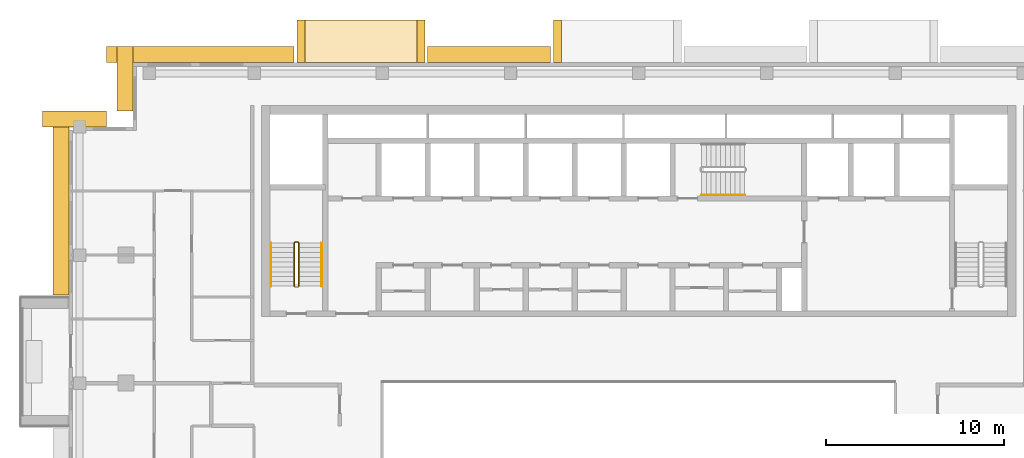
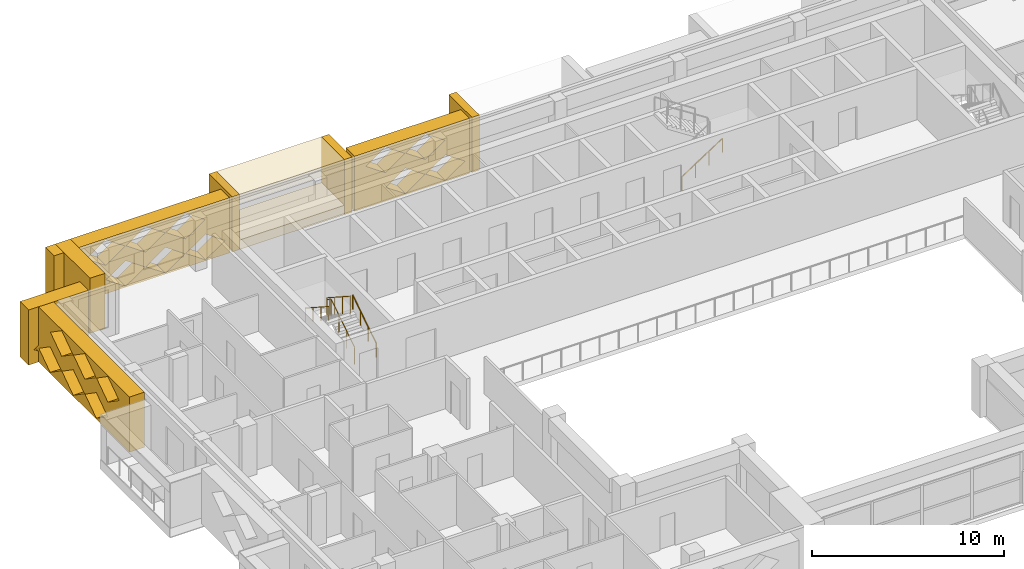
# One storey, part 17 of 19: 10 coverings, 4 railings.
"""IFC4 building model written with IfcOpenShell, lengths in metres."""

from ifc_helpers import new_model, si_unit, direction, frame, origin, origin_2d, place, context, subcontext, project, spatial, polyline, circle, outline, extrude, material, type_object, element, save


model = new_model("IFC4")

# Units and contexts
model_context = context("Model", 3, precision=1e-05, world=origin(), true_north=direction((0.0, 1.0)))
body_context = subcontext(model_context, "Body", "Model", "MODEL_VIEW")
ifc_project = project(units=[si_unit("LENGTHUNIT", "METRE"), si_unit("AREAUNIT", "SQUARE_METRE"), si_unit("VOLUMEUNIT", "CUBIC_METRE"), si_unit("PLANEANGLEUNIT", "RADIAN"), si_unit("MASSUNIT", "GRAM", prefix="KILO")], contexts=[model_context])

# Site, building, storey
site_placement = place(None, origin())
site = spatial("IfcSite", under=ifc_project, at=site_placement, CompositionType="ELEMENT")
building_placement = place(site_placement, origin())
building = spatial("IfcBuilding", under=site, at=building_placement, Name="Saffron Iwan Residences", CompositionType="ELEMENT")
storey_placement = place(building_placement, frame((0.0, 0.0, 229.0)))
storey = spatial("IfcBuildingStorey", under=building, at=storey_placement, Name="L61", CompositionType="ELEMENT", Elevation=229.0)

# Coverings
ifc_material_1 = material(Name="Precast concrete C40/50", Category="concrete")
covering_type_1 = type_object("IfcCoveringType", Name="OUTER SKIN LATTICE SCREEN", PredefinedType="CLADDING", material=ifc_material_1)
covering_1_placement = place(storey_placement, frame((45.449951171875, 80.39990234375, -0.280029296875), z_axis=(0.0, 1.0, 0.0), x_axis=(-1.0, 0.0, 0.0)))
element("IfcCovering", 1, at=covering_1_placement, inside=storey, type_object=covering_type_1, Name="OUTER SKIN lattice screen L61 F5.2", PredefinedType="CLADDING", context=body_context, shape_type="SweptSolid", body=[
    extrude(outline(polyline([(0.0, 0.0), (6.89990234375, 0.0), (6.89990234375, 3.5), (0.0, 3.5), (0.0, 0.0)]), holes=[polyline([(0.27001953125, 0.875), (1.449951171875, 0.06005859375), (2.6298828125, 0.875), (1.449951171875, 1.68994140625), (0.27001953125, 0.875)]), polyline([(2.669921875, 0.875), (3.85009765625, 0.06005859375), (5.030029296875, 0.875), (3.85009765625, 1.68994140625), (2.669921875, 0.875)]), polyline([(1.469970703125, 2.625), (2.64990234375, 1.81005859375), (3.830078125, 2.625), (2.64990234375, 3.43994140625), (1.469970703125, 2.625)]), polyline([(3.8701171875, 2.625), (5.050048828125, 1.81005859375), (6.22998046875, 2.625), (5.050048828125, 3.43994140625), (3.8701171875, 2.625)])]), origin(), (0.0, 0.0, 1.0), 0.900146484375),
])
covering_2_placement = place(storey_placement, frame((31.050048828125, 80.39990234375, -0.280029296875), z_axis=(0.0, 1.0, 0.0), x_axis=(-1.0, 0.0, 0.0)))
element("IfcCovering", 2, at=covering_2_placement, inside=storey, type_object=covering_type_1, Name="OUTER SKIN lattice screen L61 F5.3", PredefinedType="CLADDING", context=body_context, shape_type="SweptSolid", body=[
    extrude(outline(polyline([(0.0, 0.0), (10.550048828125, 0.0), (10.550048828125, 3.5), (0.0, 3.5), (0.0, 0.0)]), holes=[polyline([(0.27001953125, 0.875), (1.449951171875, 0.06005859375), (2.6298828125, 0.875), (1.449951171875, 1.68994140625), (0.27001953125, 0.875)]), polyline([(2.669921875, 0.875), (3.85009765625, 0.06005859375), (5.030029296875, 0.875), (3.85009765625, 1.68994140625), (2.669921875, 0.875)]), polyline([(5.070068359375, 0.875), (6.25, 0.06005859375), (7.429931640625, 0.875), (6.25, 1.68994140625), (5.070068359375, 0.875)]), polyline([(7.469970703125, 0.875), (8.64990234375, 0.06005859375), (9.830078125, 0.875), (8.64990234375, 1.68994140625), (7.469970703125, 0.875)]), polyline([(1.469970703125, 2.625), (2.64990234375, 1.81005859375), (3.830078125, 2.625), (2.64990234375, 3.43994140625), (1.469970703125, 2.625)]), polyline([(3.8701171875, 2.625), (5.050048828125, 1.81005859375), (6.22998046875, 2.625), (5.050048828125, 3.43994140625), (3.8701171875, 2.625)]), polyline([(6.27001953125, 2.625), (7.449951171875, 1.81005859375), (8.6298828125, 2.625), (7.449951171875, 3.43994140625), (6.27001953125, 2.625)])]), origin(), (0.0, 0.0, 1.0), 0.900146484375),
])
for number, where, z_axis, x_axis, name in (
    (3, (22.0, 81.300048828125, -0.280029296875), (-1.0, 0.0, 0.0), (0.0, -1.0, 0.0), "OUTER SKIN lattice screen L61 F6.0"),
    (4, (20.5, 76.800048828125, -0.280029296875), (0.0, 1.0, 0.0), (-1.0, 0.0, 0.0), "OUTER SKIN lattice screen L61 F7.0"),
):
    element("IfcCovering", number, at=place(storey_placement, frame(where, z_axis=z_axis, x_axis=x_axis)), inside=storey, type_object=covering_type_1, Name=name, PredefinedType="CLADDING", context=body_context, shape_type="SweptSolid", body=[
        extrude(outline(polyline([(0.0, 0.0), (3.60009765625, 0.0), (3.60009765625, 3.5), (0.0, 3.5), (0.0, 0.0)]), holes=[polyline([(0.919921875, 0.875), (2.10009765625, 0.06005859375), (3.280029296875, 0.875), (2.10009765625, 1.68994140625), (0.919921875, 0.875)])]), origin(), (0.0, 0.0, 1.0), 0.89990234375),
    ])
covering_3_placement = place(storey_placement, frame((18.39990234375, 77.699951171875, -0.280029296875), z_axis=(-1.0, 0.0, 0.0), x_axis=(0.0, -1.0, 0.0)))
element("IfcCovering", 5, at=covering_3_placement, inside=storey, type_object=covering_type_1, Name="OUTER SKIN lattice screen L61 F8.0", PredefinedType="CLADDING", context=body_context, shape_type="SweptSolid", body=[
    extrude(outline(polyline([(0.0, 0.0), (10.35009765625, 0.0), (10.35009765625, 3.5), (0.0, 3.5), (0.0, 0.0)]), holes=[polyline([(0.919921875, 0.875), (2.10009765625, 0.06005859375), (3.280029296875, 0.875), (2.10009765625, 1.68994140625), (0.919921875, 0.875)]), polyline([(3.320068359375, 0.875), (4.5, 0.06005859375), (5.679931640625, 0.875), (4.5, 1.68994140625), (3.320068359375, 0.875)]), polyline([(5.719970703125, 0.875), (6.89990234375, 0.06005859375), (8.080078125, 0.875), (6.89990234375, 1.68994140625), (5.719970703125, 0.875)]), polyline([(2.1201171875, 2.625), (3.300048828125, 1.81005859375), (4.47998046875, 2.625), (3.300048828125, 3.43994140625), (2.1201171875, 2.625)]), polyline([(4.52001953125, 2.625), (5.699951171875, 1.81005859375), (6.8798828125, 2.625), (5.699951171875, 3.43994140625), (4.52001953125, 2.625)]), polyline([(6.919921875, 2.625), (8.10009765625, 1.81005859375), (9.280029296875, 2.625), (8.10009765625, 3.43994140625), (6.919921875, 2.625)])]), origin(), (0.0, 0.0, 1.0), 0.89990234375),
])

# Railings
ifc_material_2 = material(Name="Steel S355", Category="steel")
railing_type_1 = type_object("IfcRailingType", Name="Stair guard 1100", PredefinedType="GUARDRAIL", material=ifc_material_2)
railing_1_placement = place(storey_placement, frame((31.300048828125, 67.85009765625, 0.175048828125)))
element("IfcRailing", 6, at=railing_1_placement, inside=storey, type_object=railing_type_1, Name="L61 ST-W stair guard 1", PredefinedType="GUARDRAIL", context=body_context, shape_type="SweptSolid", body=[
    extrude(circle(Radius=0.02392578125, at=origin_2d()), frame((0.0, 0.0, 1.076171875), z_axis=(0.0, 0.839153699163, 0.543894354798), x_axis=(-1.0, 0.0, 0.0)), (0.0, 0.0, 1.0), 2.895751953125),
    extrude(circle(Radius=0.02392578125, at=origin_2d()), frame((0.0, 2.429931640625, 2.65087890625), z_axis=(-0.707106781187, 0.707106781187, 0.0), x_axis=(-0.707106781187, -0.707106781187, 0.0)), (0.0, 0.0, 1.0), 0.07080078125),
    extrude(circle(Radius=0.02392578125, at=origin_2d()), frame((-0.050048828125, 2.47998046875, 2.65087890625), z_axis=(-1.0, 0.0, 0.0), x_axis=(0.0, -1.0, 0.0)), (0.0, 0.0, 1.0), 0.14990234375),
    extrude(circle(Radius=0.02392578125, at=origin_2d()), frame((-0.199951171875, 2.47998046875, 2.65087890625), z_axis=(-0.265065253269, -0.265065253269, 0.927081885822), x_axis=(0.707106781187, -0.707106781187, 0.0)), (0.0, 0.0, 1.0), 0.188720703125),
    extrude(circle(Radius=0.02392578125, at=origin_2d()), frame((-0.25, 2.429931640625, 2.826171875), z_axis=(0.0, -0.839153699163, 0.543894354798), x_axis=(1.0, 0.0, 0.0)), (0.0, 0.0, 1.0), 2.895751953125),
    extrude(circle(Radius=0.02099609375, at=origin_2d()), origin(), (0.0, 0.0, 1.0), 1.052001953125),
    extrude(circle(Radius=0.02099609375, at=origin_2d()), frame((0.0, 0.81005859375, 0.52490234375)), (0.0, 0.0, 1.0), 1.052001953125),
    extrude(circle(Radius=0.02099609375, at=origin_2d()), frame((0.0, 1.619873046875, 1.050048828125)), (0.0, 0.0, 1.0), 1.052001953125),
    extrude(circle(Radius=0.02099609375, at=origin_2d()), frame((0.0, 2.429931640625, 1.574951171875)), (0.0, 0.0, 1.0), 1.052001953125),
    extrude(circle(Radius=0.02099609375, at=origin_2d()), frame((-0.050048828125, 2.47998046875, 1.574951171875)), (0.0, 0.0, 1.0), 1.052001953125),
    extrude(circle(Radius=0.02099609375, at=origin_2d()), frame((-0.199951171875, 2.47998046875, 1.574951171875)), (0.0, 0.0, 1.0), 1.052001953125),
    extrude(circle(Radius=0.02099609375, at=origin_2d()), frame((-0.25, 2.429931640625, 1.75)), (0.0, 0.0, 1.0), 1.052001953125),
    extrude(circle(Radius=0.02099609375, at=origin_2d()), frame((-0.25, 1.619873046875, 2.27490234375)), (0.0, 0.0, 1.0), 1.052001953125),
    extrude(circle(Radius=0.02099609375, at=origin_2d()), frame((-0.25, 0.81005859375, 2.800048828125)), (0.0, 0.0, 1.0), 1.052001953125),
    extrude(circle(Radius=0.02099609375, at=origin_2d()), frame((-0.25, 0.0, 3.324951171875)), (0.0, 0.0, 1.0), 1.052001953125),
])
ifc_material_3 = material(Name="Stainless steel 316", Category="steel")
railing_type_2 = type_object("IfcRailingType", Name="Stair handrail 900", PredefinedType="HANDRAIL", material=ifc_material_3)
railing_2_placement = place(storey_placement, frame((32.60009765625, 67.85009765625, 0.175048828125)))
element("IfcRailing", 7, at=railing_2_placement, inside=storey, type_object=railing_type_2, Name="L61 ST-W stair handrail 1", PredefinedType="HANDRAIL", context=body_context, shape_type="SweptSolid", body=[
    extrude(circle(Radius=0.02392578125, at=origin_2d()), frame((0.0, 0.0, 0.8759765625), z_axis=(0.0, 0.839153699163, 0.543894354798), x_axis=(-1.0, 0.0, 0.0)), (0.0, 0.0, 1.0), 2.895751953125),
    extrude(circle(Radius=0.02099609375, at=origin_2d()), origin(), (0.0, 0.0, 1.0), 0.851806640625),
    extrude(circle(Radius=0.02099609375, at=origin_2d()), frame((0.0, 0.81005859375, 0.52490234375)), (0.0, 0.0, 1.0), 0.851806640625),
    extrude(circle(Radius=0.02099609375, at=origin_2d()), frame((0.0, 1.619873046875, 1.050048828125)), (0.0, 0.0, 1.0), 0.851806640625),
    extrude(circle(Radius=0.02099609375, at=origin_2d()), frame((0.0, 2.429931640625, 1.574951171875)), (0.0, 0.0, 1.0), 0.851806640625),
])
railing_3_placement = place(storey_placement, frame((29.75, 70.280029296875, 1.925048828125)))
element("IfcRailing", 8, at=railing_3_placement, inside=storey, type_object=railing_type_2, Name="L61 ST-W stair handrail 2", PredefinedType="HANDRAIL", context=body_context, shape_type="SweptSolid", body=[
    extrude(circle(Radius=0.02392578125, at=origin_2d()), frame((0.0, 0.0, 0.8759765625), z_axis=(0.0, -0.839153699163, 0.543894354798), x_axis=(1.0, 0.0, 0.0)), (0.0, 0.0, 1.0), 2.895751953125),
    extrude(circle(Radius=0.02099609375, at=origin_2d()), origin(), (0.0, 0.0, 1.0), 0.851806640625),
    extrude(circle(Radius=0.02099609375, at=origin_2d()), frame((0.0, -0.81005859375, 0.52490234375)), (0.0, 0.0, 1.0), 0.851806640625),
    extrude(circle(Radius=0.02099609375, at=origin_2d()), frame((0.0, -1.619873046875, 1.050048828125)), (0.0, 0.0, 1.0), 0.851806640625),
    extrude(circle(Radius=0.02099609375, at=origin_2d()), frame((0.0, -2.429931640625, 1.574951171875)), (0.0, 0.0, 1.0), 0.851806640625),
])
railing_4_placement = place(storey_placement, frame((53.925048828125, 72.97509765625, 0.175048828125)))
element("IfcRailing", 9, at=railing_4_placement, inside=storey, type_object=railing_type_2, Name="L61 ST-C stair handrail 1", PredefinedType="HANDRAIL", context=body_context, shape_type="SweptSolid", body=[
    extrude(circle(Radius=0.02392578125, at=origin_2d()), frame((0.0, 0.0, 0.8759765625), z_axis=(0.839153699163, 0.0, 0.543894354798), x_axis=(0.0, 1.0, 0.0)), (0.0, 0.0, 1.0), 2.895751953125),
    extrude(circle(Radius=0.02099609375, at=origin_2d()), origin(), (0.0, 0.0, 1.0), 0.851806640625),
    extrude(circle(Radius=0.02099609375, at=origin_2d()), frame((0.81005859375, 0.0, 0.52490234375)), (0.0, 0.0, 1.0), 0.851806640625),
    extrude(circle(Radius=0.02099609375, at=origin_2d()), frame((1.619873046875, 0.0, 1.050048828125)), (0.0, 0.0, 1.0), 0.851806640625),
    extrude(circle(Radius=0.02099609375, at=origin_2d()), frame((2.429931640625, 0.0, 1.574951171875)), (0.0, 0.0, 1.0), 0.851806640625),
])

# Coverings
ifc_material_4 = material(Name="Precast concrete C40/50 white painted", Category="concrete")
covering_type_2 = type_object("IfcCoveringType", Name="WHITE SUN FRAME PRECAST", PredefinedType="CLADDING", material=ifc_material_4)
for number, where, z_axis, x_axis, name in (
    (10, (46.050048828125, 80.39990234375, -0.280029296875), (0.0, 1.0, 0.0), (-1.0, 0.0, 0.0), "Sun frame L61 F5 26.0b"),
    (11, (38.39990234375, 80.39990234375, -0.280029296875), (0.0, 1.0, 0.0), (-1.0, 0.0, 0.0), "Sun frame L61 F5 40.4a"),
    (12, (31.64990234375, 80.39990234375, -0.280029296875), (0.0, 1.0, 0.0), (-1.0, 0.0, 0.0), "Sun frame L61 F5 40.4b"),
):
    element("IfcCovering", number, at=place(storey_placement, frame(where, z_axis=z_axis, x_axis=x_axis)), inside=storey, type_object=covering_type_2, Name=name, PredefinedType="CLADDING", context=body_context, shape_type="SweptSolid", body=[
        extrude(outline(polyline([(0.0, 0.0), (0.449951171875, 0.0), (0.449951171875, 3.5), (0.0, 3.5), (0.0, 0.0)])), origin(), (0.0, 0.0, 1.0), 2.400146484375),
    ])
for number, where, z_axis, x_axis, name in (
    (13, (37.949951171875, 80.39990234375, 2.6201171875), (0.0, 1.0, 0.0), (-1.0, 0.0, 0.0), "Sun frame L61 F5 40.4h"),
    (14, (37.949951171875, 80.39990234375, -0.280029296875), (0.0, 1.0, 0.0), (-1.0, 0.0, 0.0), "Sun frame L61 F5 40.4s"),
):
    element("IfcCovering", number, at=place(storey_placement, frame(where, z_axis=z_axis, x_axis=x_axis)), inside=storey, type_object=covering_type_2, Name=name, PredefinedType="CLADDING", context=body_context, shape_type="SweptSolid", body=[
        extrude(outline(polyline([(0.0, 0.0), (6.300048828125, 0.0), (6.300048828125, 0.60009765625), (0.0, 0.60009765625), (0.0, 0.0)])), origin(), (0.0, 0.0, 1.0), 2.400146484375),
    ])

save(model, "model.ifc")
